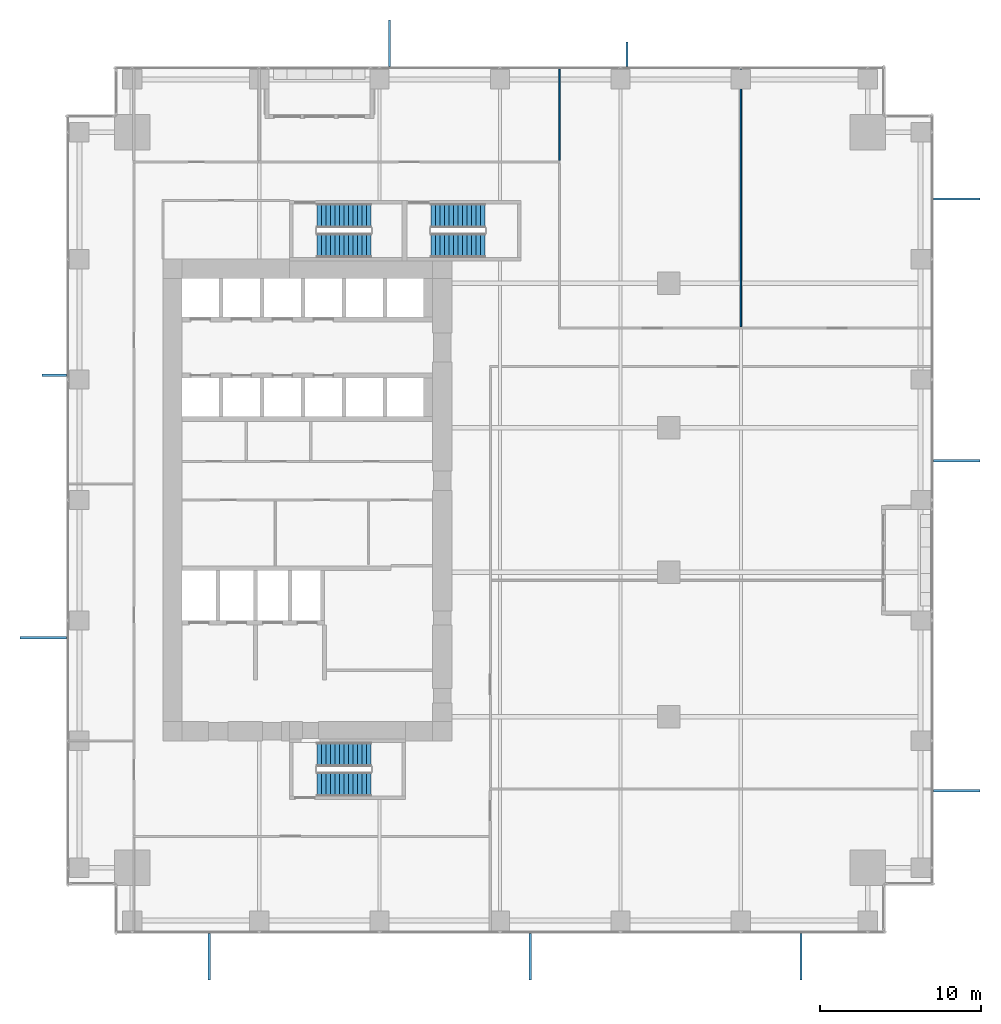
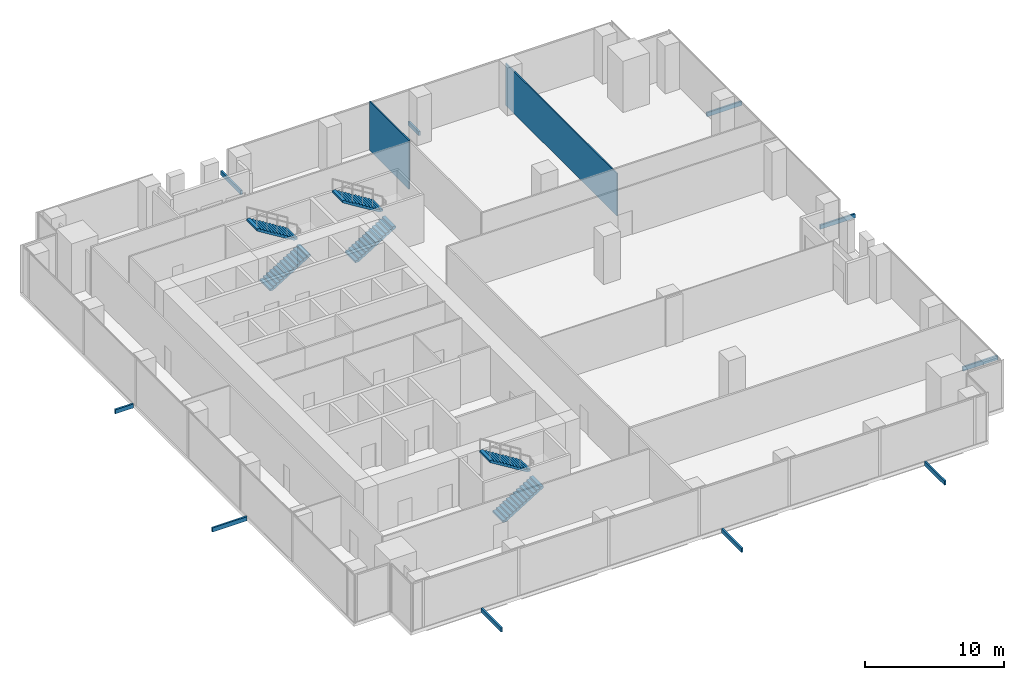
# One storey, part 30 of 33: 10 discrete accessories, 6 stair flights, 2 walls, 3 elements without a shape of their own.
"""IFC4 building model written with IfcOpenShell, lengths in metres."""

from ifc_helpers import new_model, si_unit, direction, frame, frame_2d, origin, origin_2d, place, context, subcontext, project, spatial, polyline, rectangle, outline, extrude, source, transform, mapped, material, layer, layer_set, type_object, element, aggregate, save


model = new_model("IFC4")

# Units and contexts
model_context = context("Model", 3, precision=1e-05, world=origin(), true_north=direction((0.0, 1.0)))
body_context = subcontext(model_context, "Body", "Model", "MODEL_VIEW")
ifc_project = project(units=[si_unit("LENGTHUNIT", "METRE"), si_unit("AREAUNIT", "SQUARE_METRE"), si_unit("VOLUMEUNIT", "CUBIC_METRE"), si_unit("PLANEANGLEUNIT", "RADIAN"), si_unit("MASSUNIT", "GRAM", prefix="KILO")], contexts=[model_context])

# Site, building, storey
site_placement = place(None, origin())
site = spatial("IfcSite", under=ifc_project, at=site_placement, CompositionType="ELEMENT")
building_placement = place(site_placement, origin())
building = spatial("IfcBuilding", under=site, at=building_placement, Name="Khomas Fold Tower", CompositionType="ELEMENT")
storey_placement = place(building_placement, frame((0.0, 0.0, 78.0)))
storey = spatial("IfcBuildingStorey", under=building, at=storey_placement, Name="L16", CompositionType="ELEMENT", Elevation=78.0)

# Walls
ifc_material_1 = material(Name="Plasterboard partition")
ifc_layer = layer(ifc_material_1, 0.10009765625)
ifc_layer_set = layer_set([ifc_layer], Name="Plasterboard partition")
wall_type = type_object("IfcWallType", Name="Partition PW1 100", PredefinedType="PARTITIONING", material=ifc_layer_set)
shared_shape_1 = source(origin(), body_context, "Body", "SweptSolid", [
    extrude(rectangle(XDim=16.050048828125, YDim=0.10009765625, at=frame_2d((8.02490234375, 0.0))), origin(), (0.0, 0.0, 1.0), 3.699951171875),
])
wall_1_placement = place(storey_placement, frame((42.0, 37.800048828125, 0.0), z_axis=(0.0, 0.0, 1.0), x_axis=(0.0, 1.0, 0.0)))
element("IfcWall", 1, at=wall_1_placement, inside=storey, type_object=wall_type, Name="Partition", PredefinedType="PARTITIONING", context=body_context, shape_type="MappedRepresentation", body=[
    mapped(shared_shape_1, transform((0.0, 0.0, 0.0))),
])
shared_shape_2 = source(origin(), body_context, "Body", "SweptSolid", [
    extrude(rectangle(XDim=5.7001953125, YDim=0.10009765625, at=frame_2d((2.85009765625, 0.0))), origin(), (0.0, 0.0, 1.0), 4.300048828125),
])
wall_2_placement = place(storey_placement, frame((30.699951171875, 48.14990234375, 0.0), z_axis=(0.0, 0.0, 1.0), x_axis=(0.0, 1.0, 0.0)))
element("IfcWall", 2, at=wall_2_placement, inside=storey, type_object=wall_type, Name="Partition", PredefinedType="PARTITIONING", context=body_context, shape_type="MappedRepresentation", body=[
    mapped(shared_shape_2, transform((0.0, 0.0, 0.0))),
])

# Stair, stair flights
ifc_material_2 = material(Name="Concrete C40/50", Category="concrete")
stair_type_1 = type_object("IfcStairType", Name="Stair ST1", PredefinedType="HALF_TURN_STAIR", material=ifc_material_2)
stair_1_placement = place(storey_placement, origin())
stair_1 = element("IfcStair", 3, at=stair_1_placement, inside=storey, type_object=stair_type_1, Name="L16 ST1", PredefinedType="HALF_TURN_STAIR")
ifc_material_3 = material(Name="Concrete C40/50", Category="concrete")
stair_flight_type_1 = type_object("IfcStairFlightType", Name="Stair flight 1500 ST1", PredefinedType="STRAIGHT", material=ifc_material_3)
shared_shape_3 = source(origin(), body_context, "Body", "SweptSolid", [
    extrude(outline(polyline([(0.0, 0.0), (0.0, 0.013427734375), (0.0, 0.026611328125), (0.0, 0.0400390625), (0.0, 0.05322265625), (0.0, 0.066650390625), (0.0, 0.079833984375), (0.0, 0.09326171875), (0.0, 0.1064453125), (0.0, 0.119873046875), (0.0, 0.133056640625), (0.0, 0.146484375), (0.0, 0.15966796875), (0.0, 0.173095703125), (0.280029296875, 0.173095703125), (0.280029296875, 0.34619140625), (0.56005859375, 0.34619140625), (0.56005859375, 0.519287109375), (0.840087890625, 0.519287109375), (0.840087890625, 0.6923828125), (1.1201171875, 0.6923828125), (1.1201171875, 0.865478515625), (1.39990234375, 0.865478515625), (1.39990234375, 1.03857421875), (1.679931640625, 1.03857421875), (1.679931640625, 1.21142578125), (1.9599609375, 1.21142578125), (1.9599609375, 1.384521484375), (2.239990234375, 1.384521484375), (2.239990234375, 1.5576171875), (2.52001953125, 1.5576171875), (2.52001953125, 1.730712890625), (2.800048828125, 1.730712890625), (2.800048828125, 1.90380859375), (3.080078125, 1.90380859375), (3.080078125, 2.076904296875), (3.360107421875, 2.076904296875), (3.360107421875, 2.25), (3.360107421875, 2.22314453125), (3.360107421875, 2.1962890625), (3.360107421875, 2.16943359375), (3.360107421875, 2.142578125), (3.360107421875, 2.11572265625), (3.360107421875, 2.0888671875), (3.360107421875, 2.06201171875), (3.360107421875, 2.03515625), (3.360107421875, 2.008056640625), (3.360107421875, 1.981201171875), (3.360107421875, 1.954345703125), (3.360107421875, 1.927490234375), (3.360107421875, 1.900634765625), (0.28515625, 0.0), (0.0, 0.0)])), frame((0.0, 0.75, 0.0), z_axis=(0.0, -1.0, 0.0), x_axis=(1.0, 0.0, 0.0)), (0.0, 0.0, 1.0), 1.5),
])
stair_flight_1_placement = place(storey_placement, frame((15.60009765625, 42.85009765625, 0.0), z_axis=(0.0, 0.0, 1.0), x_axis=(1.0, 0.0, 0.0)))
stair_flight_1 = element("IfcStairFlight", 4, at=stair_flight_1_placement, type_object=stair_flight_type_1, Name="ST1 flight 1", NumberOfRisers=13, NumberOfTreads=12, PredefinedType="STRAIGHT", RiserHeight=0.173076923, TreadLength=0.28, context=body_context, shape_type="MappedRepresentation", body=[
    mapped(shared_shape_3, transform((0.0, 0.0, 0.0))),
])
stair_flight_2_placement = place(storey_placement, frame((18.9599609375, 44.699951171875, 2.25), z_axis=(0.0, 0.0, 1.0), x_axis=(-1.0, 0.0, 0.0)))
stair_flight_2 = element("IfcStairFlight", 5, at=stair_flight_2_placement, type_object=stair_flight_type_1, Name="ST1 flight 2", NumberOfRisers=13, NumberOfTreads=12, PredefinedType="STRAIGHT", RiserHeight=0.173076923, TreadLength=0.28, context=body_context, shape_type="MappedRepresentation", body=[
    mapped(shared_shape_3, transform((0.0, 0.0, 0.0))),
])
aggregate(stair_1, [stair_flight_1, stair_flight_2])

ifc_material_4 = material(Name="Concrete C40/50", Category="concrete")
stair_type_2 = type_object("IfcStairType", Name="Stair ST2", PredefinedType="HALF_TURN_STAIR", material=ifc_material_4)
stair_2_placement = place(storey_placement, origin())
stair_2 = element("IfcStair", 6, at=stair_2_placement, inside=storey, type_object=stair_type_2, Name="L16 ST2", PredefinedType="HALF_TURN_STAIR")
ifc_material_5 = material(Name="Concrete C40/50", Category="concrete")
stair_flight_type_2 = type_object("IfcStairFlightType", Name="Stair flight 1500 ST2", PredefinedType="STRAIGHT", material=ifc_material_5)
stair_flight_3_placement = place(storey_placement, frame((15.60009765625, 9.300048828125, 0.0), z_axis=(0.0, 0.0, 1.0), x_axis=(1.0, 0.0, 0.0)))
stair_flight_3 = element("IfcStairFlight", 7, at=stair_flight_3_placement, type_object=stair_flight_type_2, Name="ST2 flight 1", NumberOfRisers=13, NumberOfTreads=12, PredefinedType="STRAIGHT", RiserHeight=0.173076923, TreadLength=0.28, context=body_context, shape_type="MappedRepresentation", body=[
    mapped(shared_shape_3, transform((0.0, 0.0, 0.0))),
])
stair_flight_4_placement = place(storey_placement, frame((18.9599609375, 11.14990234375, 2.25), z_axis=(0.0, 0.0, 1.0), x_axis=(-1.0, 0.0, 0.0)))
stair_flight_4 = element("IfcStairFlight", 8, at=stair_flight_4_placement, type_object=stair_flight_type_2, Name="ST2 flight 2", NumberOfRisers=13, NumberOfTreads=12, PredefinedType="STRAIGHT", RiserHeight=0.173076923, TreadLength=0.28, context=body_context, shape_type="MappedRepresentation", body=[
    mapped(shared_shape_3, transform((0.0, 0.0, 0.0))),
])
aggregate(stair_2, [stair_flight_3, stair_flight_4])

ifc_material_6 = material(Name="Concrete C40/50", Category="concrete")
stair_type_3 = type_object("IfcStairType", Name="Stair ST3", PredefinedType="HALF_TURN_STAIR", material=ifc_material_6)
stair_3_placement = place(storey_placement, origin())
stair_3 = element("IfcStair", 9, at=stair_3_placement, inside=storey, type_object=stair_type_3, Name="L16 ST3", PredefinedType="HALF_TURN_STAIR")
ifc_material_7 = material(Name="Concrete C40/50", Category="concrete")
stair_flight_type_3 = type_object("IfcStairFlightType", Name="Stair flight 1500 ST3", PredefinedType="STRAIGHT", material=ifc_material_7)
stair_flight_5_placement = place(storey_placement, frame((22.699951171875, 42.85009765625, 0.0), z_axis=(0.0, 0.0, 1.0), x_axis=(1.0, 0.0, 0.0)))
stair_flight_5 = element("IfcStairFlight", 10, at=stair_flight_5_placement, type_object=stair_flight_type_3, Name="ST3 flight 1", NumberOfRisers=13, NumberOfTreads=12, PredefinedType="STRAIGHT", RiserHeight=0.173076923, TreadLength=0.28, context=body_context, shape_type="MappedRepresentation", body=[
    mapped(shared_shape_3, transform((0.0, 0.0, 0.0))),
])
stair_flight_6_placement = place(storey_placement, frame((26.06005859375, 44.699951171875, 2.25), z_axis=(0.0, 0.0, 1.0), x_axis=(-1.0, 0.0, 0.0)))
stair_flight_6 = element("IfcStairFlight", 11, at=stair_flight_6_placement, type_object=stair_flight_type_3, Name="ST3 flight 2", NumberOfRisers=13, NumberOfTreads=12, PredefinedType="STRAIGHT", RiserHeight=0.173076923, TreadLength=0.28, context=body_context, shape_type="MappedRepresentation", body=[
    mapped(shared_shape_3, transform((0.0, 0.0, 0.0))),
])
aggregate(stair_3, [stair_flight_5, stair_flight_6])

# Discrete accessories
ifc_material_8 = material(Name="Stainless steel", Category="steel")
discrete_accessory_type = type_object("IfcDiscreteAccessoryType", Name="SK-Stainless steel stone bracket", PredefinedType="BRACKET", material=ifc_material_8)
shared_shape_4 = source(origin(), body_context, "Body", "SweptSolid", [
    extrude(rectangle(XDim=2.897216796875, YDim=0.14990234375, at=origin_2d()), origin(), (0.0, 0.0, 1.0), 0.360107421875),
])
for number, where, z_axis, x_axis, name in (
    (12, (8.89501953125, -1.448486328125, -0.30029296875), (0.0, 0.0, 1.0), (0.0, -1.0, 0.0), "Stone bracket L16 SS03-1-3"),
    (13, (28.877685546875, -1.448486328125, -0.30029296875), (0.0, 0.0, 1.0), (0.0, -1.0, 0.0), "Stone bracket L16 SS06-2-3"),
    (14, (45.746337890625, -1.448486328125, -0.30029296875), (0.0, 0.0, 1.0), (0.0, -1.0, 0.0), "Stone bracket L16 SS09-3-3"),
    (15, (55.448486328125, 8.89501953125, -0.30029296875), (0.0, 0.0, 1.0), (1.0, 0.0, 0.0), "Stone bracket L16 ES03-1-2"),
    (16, (55.448486328125, 29.4423828125, -0.30029296875), (0.0, 0.0, 1.0), (1.0, 0.0, 0.0), "Stone bracket L16 ES06-2-2"),
    (17, (55.448486328125, 45.746337890625, -0.30029296875), (0.0, 0.0, 1.0), (1.0, 0.0, 0.0), "Stone bracket L16 ES09-3-2"),
    (18, (20.119873046875, 55.448486328125, -0.30029296875), (0.0, 0.0, 1.0), (0.0, 1.0, 0.0), "Stone bracket L16 NS05-1-2"),
    (19, (-1.448486328125, 18.425048828125, -0.30029296875), (0.0, 0.0, 1.0), (-1.0, 0.0, 0.0), "Stone bracket L16 WS05-1-2"),
):
    element("IfcDiscreteAccessory", number, at=place(storey_placement, frame(where, z_axis=z_axis, x_axis=x_axis)), inside=storey, type_object=discrete_accessory_type, Name=name, PredefinedType="BRACKET", context=body_context, shape_type="MappedRepresentation", body=[
        mapped(shared_shape_4, transform((0.0, 0.0, 0.0))),
    ])
shared_shape_5 = source(origin(), body_context, "Body", "SweptSolid", [
    extrude(rectangle(XDim=1.5166015625, YDim=0.14990234375, at=origin_2d()), origin(), (0.0, 0.0, 1.0), 0.360107421875),
])
for number, where, z_axis, x_axis, name in (
    (20, (34.910888671875, 54.75830078125, -0.30029296875), (0.0, 0.0, 1.0), (0.0, 1.0, 0.0), "Stone bracket L16 NS08-2-2"),
    (21, (-0.75830078125, 34.76416015625, -0.30029296875), (0.0, 0.0, 1.0), (-1.0, 0.0, 0.0), "Stone bracket L16 WS08-2-2"),
):
    element("IfcDiscreteAccessory", number, at=place(storey_placement, frame(where, z_axis=z_axis, x_axis=x_axis)), inside=storey, type_object=discrete_accessory_type, Name=name, PredefinedType="BRACKET", context=body_context, shape_type="MappedRepresentation", body=[
        mapped(shared_shape_5, transform((0.0, 0.0, 0.0))),
    ])

save(model, "model.ifc")
